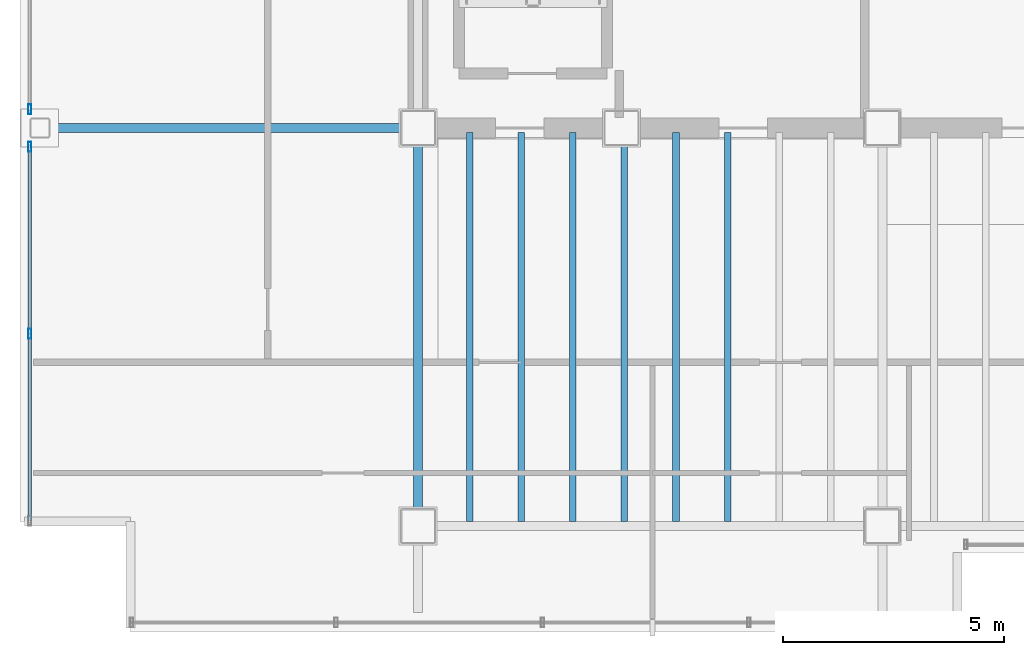
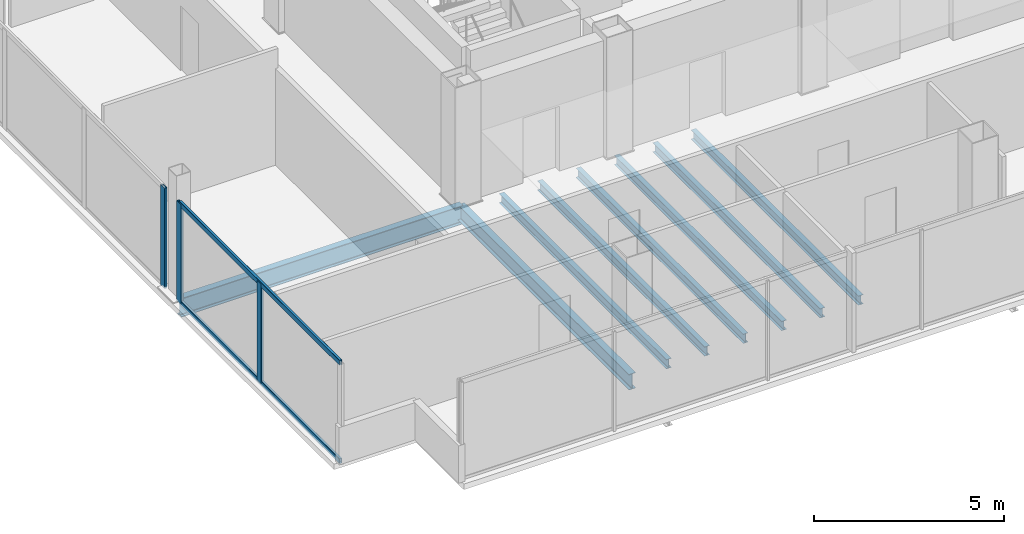
# One storey, part 4 of 17: 8 beams, 5 members, 2 elements without a shape of their own.
"""IFC4 building model written with IfcOpenShell, lengths in metres."""

import ifcopenshell
import ifcopenshell.guid

model = None  # the IFC model being written
_history = None  # IfcOwnerHistory: only IFC2X3 demands one
_inside = {}  # id of a spatial element -> (the spatial element, [elements in it])
_under = {}  # id of a project, library or spatial element -> (it, [spatial elements below it])
_declared = {}  # id of a project -> (the project, [libraries it declares])
_typed = {}  # id of a type object -> (the type object, [elements of that type])
_made_of = {}  # id of a material, layer set ... -> (it, [elements and type objects made of it])


def new_model(schema):
    """Start an empty IFC model of exactly this schema.

    Asked for "IFC4X3", IfcOpenShell would pick the latest addendum, in which some entities
    have other attributes; the version numbers below select the first issue.
    IFC2X3 requires an IfcOwnerHistory on every rooted entity: one is made here for all.
    """
    global model, _history
    if schema == "IFC4X3":
        model = ifcopenshell.file(schema_version=(4, 3, 0, 0))
    else:
        model = ifcopenshell.file(schema=schema)
    _inside.clear()
    _under.clear()
    _declared.clear()
    _typed.clear()
    _made_of.clear()
    _history = None
    if model.schema == "IFC2X3":
        org = make("IfcOrganization", Name="unknown")
        user = make(
            "IfcPersonAndOrganization",
            ThePerson=make("IfcPerson", FamilyName="unknown"),
            TheOrganization=org,
        )
        app = make(
            "IfcApplication",
            ApplicationDeveloper=org,
            Version="unknown",
            ApplicationFullName="unknown",
            ApplicationIdentifier="unknown",
        )
        _history = make(
            "IfcOwnerHistory",
            OwningUser=user,
            OwningApplication=app,
            ChangeAction="ADDED",
            CreationDate=0,
        )
    return model


def make(cls, **values):
    """One entity of the class cls with the attributes given. An attribute that is None is left unset."""
    return model.create_entity(
        cls, **{name: value for name, value in values.items() if value is not None}
    )


def rooted(cls, **values):
    """An entity with a GlobalId (a new one), such as an element, a storey or a relation."""
    return make(cls, GlobalId=ifcopenshell.guid.new(), OwnerHistory=_history, **values)


def si_unit(unit_type, name, prefix=None):
    """IfcSIUnit, for example si_unit("LENGTHUNIT", "METRE", prefix="MILLI")."""
    return make("IfcSIUnit", UnitType=unit_type, Prefix=prefix, Name=name)


def assignment(units):
    """IfcUnitAssignment: the units of a project."""
    return None if units is None else make("IfcUnitAssignment", Units=units)


def point(xyz):
    """IfcCartesianPoint."""
    return None if xyz is None else make("IfcCartesianPoint", Coordinates=xyz)


def direction(xyz):
    """IfcDirection."""
    return None if xyz is None else make("IfcDirection", DirectionRatios=xyz)


def frame(location, z_axis=None, x_axis=None):
    """IfcAxis2Placement3D, a coordinate frame: its origin and axes. An axis left out is left unset."""
    return make(
        "IfcAxis2Placement3D",
        Location=point(location),
        Axis=direction(z_axis),
        RefDirection=direction(x_axis),
    )


def frame_2d(location, x_axis=None):
    """IfcAxis2Placement2D, a coordinate frame in the plane: its origin and x axis."""
    return make(
        "IfcAxis2Placement2D", Location=point(location), RefDirection=direction(x_axis)
    )


def origin():
    """The frame at (0, 0, 0) with its axes left unset."""
    return frame((0.0, 0.0, 0.0))


def origin_2d():
    """The frame at (0, 0) in the plane with its x axis left unset."""
    return frame_2d((0.0, 0.0))


def place(relative_to, where):
    """IfcLocalPlacement: puts the frame where relative to a parent placement (None: the world)."""
    return make(
        "IfcLocalPlacement", PlacementRelTo=relative_to, RelativePlacement=where
    )


def context(
    kind, dimensions, precision=None, world=None, true_north=None, identifier=None
):
    """IfcGeometricRepresentationContext, for example the 3D "Model" context."""
    return make(
        "IfcGeometricRepresentationContext",
        ContextIdentifier=identifier,
        ContextType=kind,
        CoordinateSpaceDimension=dimensions,
        Precision=precision,
        WorldCoordinateSystem=world,
        TrueNorth=true_north,
    )


def subcontext(parent, identifier, kind, view, scale=None):
    """IfcGeometricRepresentationSubContext, for example "Body" below "Model"."""
    return make(
        "IfcGeometricRepresentationSubContext",
        ContextIdentifier=identifier,
        ContextType=kind,
        ParentContext=parent,
        TargetScale=scale,
        TargetView=view,
    )


def project(units=None, contexts=None):
    """IfcProject with its units and contexts."""
    return rooted(
        "IfcProject",
        Name="project",
        RepresentationContexts=contexts,
        UnitsInContext=assignment(units),
    )


def spatial(cls, under=None, at=None, **own):
    """A site, building, storey or space (cls), placed at a placement, below another one or the project."""
    s = rooted(cls, ObjectPlacement=at, **own)
    if under is not None:
        _under.setdefault(under.id(), (under, []))[1].append(s)
    return s


def profile(cls, at=None, kind="AREA", **sizes):
    """A parametric profile (cls). Its sizes go by their IFC names, for example OverallWidth=200.0."""
    return make(cls, ProfileType=kind, Position=at, **sizes)


def hollow_rectangle(**sizes):
    """IfcRectangleHollowProfileDef."""
    return profile("IfcRectangleHollowProfileDef", **sizes)


def i_section(**sizes):
    """IfcIShapeProfileDef."""
    return profile("IfcIShapeProfileDef", **sizes)


def extrude(swept, where, along, depth):
    """IfcExtrudedAreaSolid: the profile swept, set in the frame where, extruded along a direction by depth."""
    return make(
        "IfcExtrudedAreaSolid",
        SweptArea=swept,
        Position=where,
        ExtrudedDirection=direction(along),
        Depth=depth,
    )


def shape(context_of_items, identifier, shape_type, items):
    """IfcShapeRepresentation: the items that make up one representation, for example the "Body"."""
    return make(
        "IfcShapeRepresentation",
        ContextOfItems=context_of_items,
        RepresentationIdentifier=identifier,
        RepresentationType=shape_type,
        Items=items,
    )


def material(Name=None, Category=None):
    """IfcMaterial."""
    return make("IfcMaterial", Name=Name, Category=Category)


def material_profile(
    of_material, cross_section, Name=None, Category=None, Priority=None
):
    """IfcMaterialProfile: a cross section and its material."""
    return make(
        "IfcMaterialProfile",
        Name=Name,
        Material=of_material,
        Profile=cross_section,
        Priority=Priority,
        Category=Category,
    )


def profile_set(profiles, Name=None, composite=None):
    """IfcMaterialProfileSet."""
    return make(
        "IfcMaterialProfileSet",
        Name=Name,
        MaterialProfiles=profiles,
        CompositeProfile=composite,
    )


def made_of(thing, what):
    """Note that an element or type object is made of a material, layer set ...; save() writes the relation."""
    if what is not None:
        _made_of.setdefault(what.id(), (what, []))[1].append(thing)
    return thing


def type_object(cls, material=None, **own):
    """A type object (cls), such as IfcWallType, which elements share."""
    return made_of(rooted(cls, **own), material)


def element(
    cls,
    number,
    at=None,
    inside=None,
    cuts=None,
    type_object=None,
    material=None,
    context=None,
    identifier="Body",
    shape_type=None,
    held_by="IfcProductDefinitionShape",
    body=None,
    shapes=None,
    **own,
):
    """One element of the class cls, such as IfcWall. Its Tag is "e" and its number.

    at: its placement. inside: the storey or other place that contains it. cuts: it is an
    opening in that element (IfcRelVoidsElement). A single representation is given by context,
    identifier, shape_type and body (its items); several are given by shapes. held_by: the class
    of the entity that holds the representations. save() writes the other relations.
    """
    e = rooted(cls, Tag="e%d" % number, ObjectPlacement=at, **own)
    if body is not None:
        shapes = [shape(context, identifier, shape_type, body)]
    if shapes is not None:
        e.Representation = make(held_by, Representations=shapes)
    if inside is not None:
        _inside.setdefault(inside.id(), (inside, []))[1].append(e)
    if cuts is not None:
        rooted(
            "IfcRelVoidsElement", RelatingBuildingElement=cuts, RelatedOpeningElement=e
        )
    if type_object is not None:
        _typed.setdefault(type_object.id(), (type_object, []))[1].append(e)
    return made_of(e, material)


def aggregate(whole, parts):
    """IfcRelAggregates: a whole, such as a stair, and the parts it consists of."""
    return rooted("IfcRelAggregates", RelatingObject=whole, RelatedObjects=parts)


def save(model, path):
    """Write the relations noted so far, then the file.

    IfcRelAggregates (storeys below a building ...), IfcRelContainedInSpatialStructure (elements
    in a storey), IfcRelDefinesByType, IfcRelAssociatesMaterial and IfcRelDeclares: one each for
    every whole, place, type object, material and project.
    """
    for whole, parts in _under.values():
        aggregate(whole, parts)
    for where, things in _inside.values():
        rooted(
            "IfcRelContainedInSpatialStructure",
            RelatedElements=things,
            RelatingStructure=where,
        )
    for kind, things in _typed.values():
        rooted("IfcRelDefinesByType", RelatedObjects=things, RelatingType=kind)
    for what, things in _made_of.values():
        rooted("IfcRelAssociatesMaterial", RelatedObjects=things, RelatingMaterial=what)
    for by, libraries in _declared.values():
        rooted("IfcRelDeclares", RelatingContext=by, RelatedDefinitions=libraries)
    model.write(path)


model = new_model("IFC4")

# Units and contexts
model_context = context("Model", 3, precision=1e-05, world=origin(), true_north=direction((0.0, 1.0)))
body_context = subcontext(model_context, "Body", "Model", "MODEL_VIEW")
ifc_project = project(units=[si_unit("LENGTHUNIT", "METRE"), si_unit("AREAUNIT", "SQUARE_METRE"), si_unit("VOLUMEUNIT", "CUBIC_METRE"), si_unit("PLANEANGLEUNIT", "RADIAN"), si_unit("MASSUNIT", "GRAM", prefix="KILO")], contexts=[model_context])

# Site, building, storey
site_placement = place(None, origin())
site = spatial("IfcSite", under=ifc_project, at=site_placement, CompositionType="ELEMENT")
building_placement = place(site_placement, origin())
building = spatial("IfcBuilding", under=site, at=building_placement, Name="Noeulbin Bourse Tower", CompositionType="ELEMENT")
storey_placement = place(building_placement, frame((0.0, 0.0, 261.800048828125)))
storey = spatial("IfcBuildingStorey", under=building, at=storey_placement, Name="L65", CompositionType="ELEMENT", Elevation=261.800048828125)

# Beams
ifc_material_1 = material(Name="Steel S355", Category="steel")
ifc_material_profile_1 = material_profile(ifc_material_1, i_section(OverallWidth=0.199951171875, OverallDepth=0.5, WebThickness=0.010009765625, FlangeThickness=0.01611328125, FilletRadius=0.02001953125, at=origin_2d()), Name="H-500x200x10x16", Category="LoadBearing")
ifc_profile_set_1 = profile_set([ifc_material_profile_1], Name="Steel S355")
beam_type_1 = type_object("IfcBeamType", Name="BM-GRD-500", PredefinedType="USERDEFINED", material=ifc_profile_set_1)
beam_1_placement = place(storey_placement, frame((13.5, 20.0, -0.429931640625), z_axis=(0.0, 1.0, 0.0), x_axis=(-1.0, 0.0, 0.0)))
element("IfcBeam", 1, at=beam_1_placement, inside=storey, type_object=beam_type_1, Name="Tower Primary Girder NS L65-1.2", ObjectType="GIRDER", PredefinedType="USERDEFINED", context=body_context, shape_type="SweptSolid", body=[
    extrude(i_section(OverallWidth=0.199951171875, OverallDepth=0.5, WebThickness=0.010009765625, FlangeThickness=0.01611328125, FilletRadius=0.02001953125, at=origin_2d()), origin(), (0.0, 0.0, 1.0), 9.0),
])
ifc_material_profile_2 = material_profile(ifc_material_1, i_section(OverallWidth=0.199951171875, OverallDepth=0.60009765625, WebThickness=0.010986328125, FlangeThickness=0.01708984375, FilletRadius=0.02197265625, at=origin_2d()), Name="H-600x200x11x17", Category="LoadBearing")
ifc_profile_set_2 = profile_set([ifc_material_profile_2], Name="Steel S355")
beam_type_2 = type_object("IfcBeamType", Name="BM-GRD-600", PredefinedType="USERDEFINED", material=ifc_profile_set_2)
beam_2_placement = place(storey_placement, frame((4.949951171875, 29.0, -0.47998046875), z_axis=(1.0, 0.0, 0.0), x_axis=(0.0, 1.0, 0.0)))
element("IfcBeam", 2, at=beam_2_placement, inside=storey, type_object=beam_type_2, Name="Tower Primary Girder EW L65-2.1", ObjectType="GIRDER", PredefinedType="USERDEFINED", context=body_context, shape_type="SweptSolid", body=[
    extrude(i_section(OverallWidth=0.199951171875, OverallDepth=0.60009765625, WebThickness=0.010986328125, FlangeThickness=0.01708984375, FilletRadius=0.02197265625, at=origin_2d()), origin(), (0.0, 0.0, 1.0), 8.550048828125),
])
ifc_material_profile_3 = material_profile(ifc_material_1, i_section(OverallWidth=0.14990234375, OverallDepth=0.300048828125, WebThickness=0.006591796875, FlangeThickness=0.009033203125, FilletRadius=0.012939453125, at=origin_2d()), Name="H-300x150x6.5x9", Category="LoadBearing")
ifc_profile_set_3 = profile_set([ifc_material_profile_3], Name="Steel S355")
beam_type_3 = type_object("IfcBeamType", Name="BM-JST-300", PredefinedType="JOIST", material=ifc_profile_set_3)
for number, where, z_axis, x_axis, name in (
    (3, (14.666748046875, 20.10009765625, -0.330078125), (0.0, 1.0, 0.0), (-1.0, 0.0, 0.0), "Tower Composite Joist L65-01"),
    (4, (15.833251953125, 20.10009765625, -0.330078125), (0.0, 1.0, 0.0), (-1.0, 0.0, 0.0), "Tower Composite Joist L65-03"),
    (5, (17.0, 20.10009765625, -0.330078125), (0.0, 1.0, 0.0), (-1.0, 0.0, 0.0), "Tower Composite Joist L65-05"),
    (6, (18.166748046875, 20.10009765625, -0.330078125), (0.0, 1.0, 0.0), (-1.0, 0.0, 0.0), "Tower Composite Joist L65-07"),
    (7, (19.333251953125, 20.10009765625, -0.330078125), (0.0, 1.0, 0.0), (-1.0, 0.0, 0.0), "Tower Composite Joist L65-09"),
    (8, (20.5, 20.10009765625, -0.330078125), (0.0, 1.0, 0.0), (-1.0, 0.0, 0.0), "Tower Composite Joist L65-11"),
):
    element("IfcBeam", number, at=place(storey_placement, frame(where, z_axis=z_axis, x_axis=x_axis)), inside=storey, type_object=beam_type_3, Name=name, PredefinedType="JOIST", context=body_context, shape_type="SweptSolid", body=[
        extrude(i_section(OverallWidth=0.14990234375, OverallDepth=0.300048828125, WebThickness=0.006591796875, FlangeThickness=0.009033203125, FilletRadius=0.012939453125, at=origin_2d()), origin(), (0.0, 0.0, 1.0), 8.7998046875),
    ])

# Curtain wall, members
ifc_material_2 = material(Name="High-Selectivity Low-Iron Glazing", Category="glass")
curtain_wall_type = type_object("IfcCurtainWallType", Name="CW-SYS-4", PredefinedType="NOTDEFINED", material=ifc_material_2)
curtain_wall_1_placement = place(storey_placement, origin())
curtain_wall_1 = element("IfcCurtainWall", 9, at=curtain_wall_1_placement, inside=storey, type_object=curtain_wall_type, Name="Unitised Curtain Wall CW-L65-W-S1", PredefinedType="NOTDEFINED")
ifc_material_3 = material(Name="Anodised Aluminium 6063-T6", Category="aluminium")
ifc_material_profile_4 = material_profile(ifc_material_3, hollow_rectangle(XDim=0.074951171875, YDim=0.219970703125, WallThickness=0.0048828125, InnerFilletRadius=0.00244140625, OuterFilletRadius=0.0048828125, at=origin_2d()), Name="ALU-MULL-75x220x5", Category="LoadBearing")
ifc_profile_set_4 = profile_set([ifc_material_profile_4], Name="Anodised Aluminium 6063-T6")
member_type_1 = type_object("IfcMemberType", Name="CW-SYS-4-MUL", PredefinedType="MULLION", material=ifc_profile_set_4)
member_1_placement = place(storey_placement, frame((4.719970703125, 24.347412109375, -0.02001953125), z_axis=(0.0, 0.0, 1.0), x_axis=(1.0, 0.0, 0.0)))
member_1 = element("IfcMember", 10, at=member_1_placement, type_object=member_type_1, Name="Curtain Wall Mullion CW-L65-W-S1-M01", PredefinedType="MULLION", context=body_context, shape_type="SweptSolid", body=[
    extrude(hollow_rectangle(XDim=0.074951171875, YDim=0.219970703125, WallThickness=0.0048828125, InnerFilletRadius=0.00244140625, OuterFilletRadius=0.0048828125, at=origin_2d()), origin(), (0.0, 0.0, 1.0), 3.219970703125),
])
member_2_placement = place(storey_placement, frame((4.719970703125, 28.574951171875, -0.02001953125), z_axis=(0.0, 0.0, 1.0), x_axis=(1.0, 0.0, 0.0)))
member_2 = element("IfcMember", 11, at=member_2_placement, type_object=member_type_1, Name="Curtain Wall Mullion CW-L65-W-S1-M02", PredefinedType="MULLION", context=body_context, shape_type="SweptSolid", body=[
    extrude(hollow_rectangle(XDim=0.074951171875, YDim=0.219970703125, WallThickness=0.0048828125, InnerFilletRadius=0.00244140625, OuterFilletRadius=0.0048828125, at=origin_2d()), origin(), (0.0, 0.0, 1.0), 3.219970703125),
])

# Curtain wall, member
curtain_wall_2_placement = place(storey_placement, origin())
curtain_wall_2 = element("IfcCurtainWall", 12, at=curtain_wall_2_placement, inside=storey, type_object=curtain_wall_type, Name="Unitised Curtain Wall CW-L65-W-S2", PredefinedType="NOTDEFINED")
member_3_placement = place(storey_placement, frame((4.719970703125, 29.425048828125, -0.02001953125), z_axis=(0.0, 0.0, 1.0), x_axis=(1.0, 0.0, 0.0)))
member_3 = element("IfcMember", 13, at=member_3_placement, type_object=member_type_1, Name="Curtain Wall Mullion CW-L65-W-S2-M00", PredefinedType="MULLION", context=body_context, shape_type="SweptSolid", body=[
    extrude(hollow_rectangle(XDim=0.074951171875, YDim=0.219970703125, WallThickness=0.0048828125, InnerFilletRadius=0.00244140625, OuterFilletRadius=0.0048828125, at=origin_2d()), origin(), (0.0, 0.0, 1.0), 3.219970703125),
])
aggregate(curtain_wall_2, [member_3])

# Member
ifc_material_profile_5 = material_profile(ifc_material_3, hollow_rectangle(XDim=0.074951171875, YDim=0.159912109375, WallThickness=0.0048828125, InnerFilletRadius=0.00244140625, OuterFilletRadius=0.0048828125, at=origin_2d()), Name="ALU-TRAN-75x160x5", Category="LoadBearing")
ifc_profile_set_5 = profile_set([ifc_material_profile_5], Name="Anodised Aluminium 6063-T6")
member_type_2 = type_object("IfcMemberType", Name="CW-SYS-4-TRN", PredefinedType="USERDEFINED", material=ifc_profile_set_5)
member_4_placement = place(storey_placement, frame((4.719970703125, 20.1298828125, 0.010009765625), z_axis=(0.0, 1.0, 0.0), x_axis=(-1.0, 0.0, 0.0)))
member_4 = element("IfcMember", 14, at=member_4_placement, type_object=member_type_2, Name="Curtain Wall Transom CW-L65-W-S1-T00", ObjectType="TRANSOM", PredefinedType="USERDEFINED", context=body_context, shape_type="SweptSolid", body=[
    extrude(hollow_rectangle(XDim=0.074951171875, YDim=0.159912109375, WallThickness=0.0048828125, InnerFilletRadius=0.00244140625, OuterFilletRadius=0.0048828125, at=origin_2d()), origin(), (0.0, 0.0, 1.0), 8.43505859375),
])

member_5_placement = place(storey_placement, frame((4.719970703125, 20.1298828125, 3.169921875), z_axis=(0.0, 1.0, 0.0), x_axis=(-1.0, 0.0, 0.0)))
member_5 = element("IfcMember", 15, at=member_5_placement, type_object=member_type_2, Name="Curtain Wall Transom CW-L65-W-S1-T01", ObjectType="TRANSOM", PredefinedType="USERDEFINED", context=body_context, shape_type="SweptSolid", body=[
    extrude(hollow_rectangle(XDim=0.074951171875, YDim=0.159912109375, WallThickness=0.0048828125, InnerFilletRadius=0.00244140625, OuterFilletRadius=0.0048828125, at=origin_2d()), origin(), (0.0, 0.0, 1.0), 8.43505859375),
])

aggregate(curtain_wall_1, [member_1, member_2, member_4, member_5])

save(model, "model.ifc")
